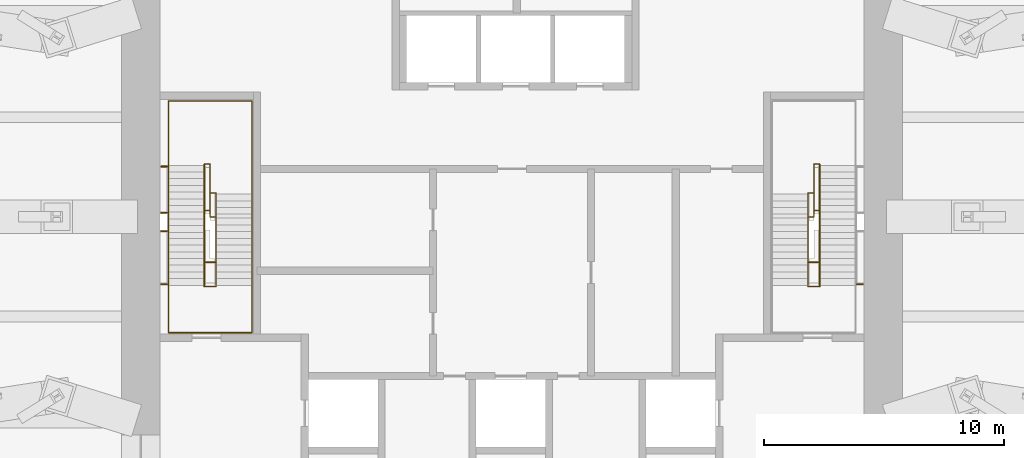
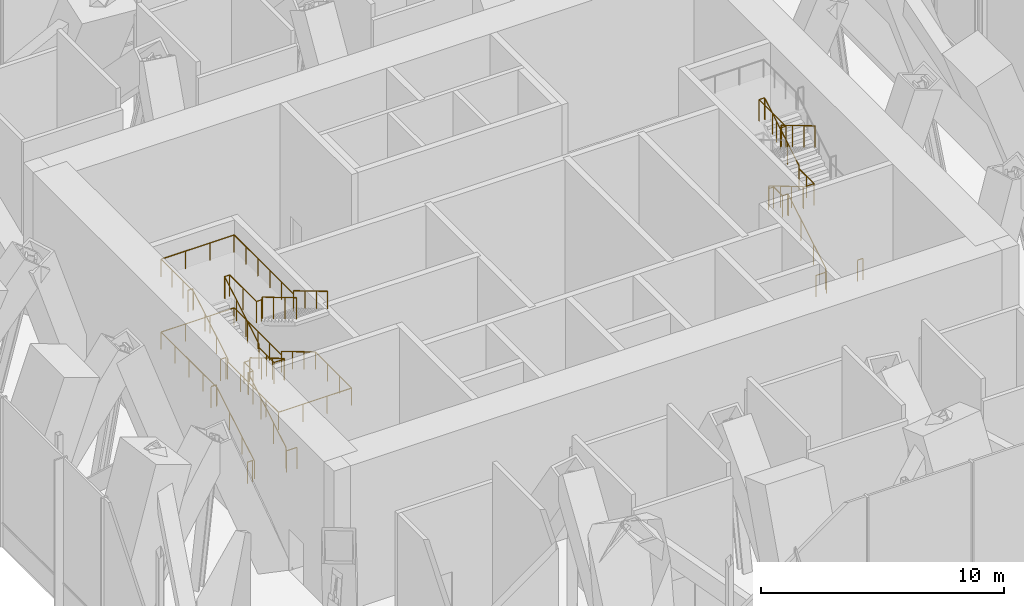
# One storey, part 15 of 16: 8 railings.
"""IFC4 building model written with IfcOpenShell, lengths in metres."""

from ifc_helpers import new_model, si_unit, direction, frame, origin, origin_2d, place, context, subcontext, project, spatial, circle, extrude, material, type_object, element, save


model = new_model("IFC4")

# Units and contexts
model_context = context("Model", 3, precision=1e-05, world=origin(), true_north=direction((0.0, 1.0)))
body_context = subcontext(model_context, "Body", "Model", "MODEL_VIEW")
ifc_project = project(units=[si_unit("LENGTHUNIT", "METRE"), si_unit("AREAUNIT", "SQUARE_METRE"), si_unit("VOLUMEUNIT", "CUBIC_METRE"), si_unit("PLANEANGLEUNIT", "RADIAN"), si_unit("MASSUNIT", "GRAM", prefix="KILO")], contexts=[model_context])

# Site, building, storey
site_placement = place(None, origin())
site = spatial("IfcSite", under=ifc_project, at=site_placement, CompositionType="ELEMENT")
building_placement = place(site_placement, origin())
building = spatial("IfcBuilding", under=site, at=building_placement, Name="Khuree Lantern Residences", CompositionType="ELEMENT")
storey_placement = place(building_placement, frame((0.0, 0.0, 278.25)))
storey = spatial("IfcBuildingStorey", under=building, at=storey_placement, Name="L70", CompositionType="ELEMENT", Elevation=278.25)

# Railings
ifc_material = material(Name="Steel S355", Category="steel")
railing_type_1 = type_object("IfcRailingType", Name="STAIR GUARD G1 1100", PredefinedType="GUARDRAIL", material=ifc_material)
railing_1_placement = place(storey_placement, frame((-12.35009765625, -2.909912109375, 0.0)))
element("IfcRailing", 1, at=railing_1_placement, inside=storey, type_object=railing_type_1, Name="Stair ST1 guard", PredefinedType="GUARDRAIL", context=body_context, shape_type="SweptSolid", body=[
    extrude(circle(Radius=0.02392578125, at=origin_2d()), frame((0.0, 0.0, 1.076171875), z_axis=(-1.0, 0.0, 0.0), x_axis=(0.0, -1.0, 0.0)), (0.0, 0.0, 1.0), 0.5),
    extrude(circle(Radius=0.02392578125, at=origin_2d()), frame((-0.5, 0.0, 1.076171875), z_axis=(0.0, 0.286189326841, 0.958173089375), x_axis=(-1.0, 0.0, 0.0)), (0.0, 0.0, 1.0), 0.174072265625),
    extrude(circle(Radius=0.02392578125, at=origin_2d()), frame((-0.5, 0.0498046875, 1.24267578125), z_axis=(0.0, 0.859308565015, 0.511457515432), x_axis=(-1.0, 0.0, 0.0)), (0.0, 0.0, 1.0), 3.58447265625),
    extrude(circle(Radius=0.02392578125, at=origin_2d()), frame((-0.5, 3.1298828125, 3.076171875), z_axis=(0.0, 1.0, 0.0), x_axis=(-1.0, 0.0, 0.0)), (0.0, 0.0, 1.0), 0.050048828125),
    extrude(circle(Radius=0.02392578125, at=origin_2d()), frame((-0.5, 3.179931640625, 3.076171875), z_axis=(1.0, 0.0, 0.0), x_axis=(0.0, 1.0, 0.0)), (0.0, 0.0, 1.0), 0.25),
    extrude(circle(Radius=0.02392578125, at=origin_2d()), frame((-0.25, 3.179931640625, 3.076171875), z_axis=(0.0, 1.0, 0.0), x_axis=(-1.0, 0.0, 0.0)), (0.0, 0.0, 1.0), 0.72998046875),
    extrude(circle(Radius=0.02392578125, at=origin_2d()), frame((-0.25, 3.909912109375, 3.076171875), z_axis=(1.0, 0.0, 0.0), x_axis=(0.0, 1.0, 0.0)), (0.0, 0.0, 1.0), 0.25),
    extrude(circle(Radius=0.02392578125, at=origin_2d()), frame((0.0, 3.909912109375, 3.076171875), z_axis=(0.0, -0.287476536604, 0.957787680492), x_axis=(1.0, 0.0, 0.0)), (0.0, 0.0, 1.0), 0.174072265625),
    extrude(circle(Radius=0.02392578125, at=origin_2d()), frame((0.0, 3.85986328125, 3.24267578125), z_axis=(0.0, -0.859318757487, 0.511440390497), x_axis=(1.0, 0.0, 0.0)), (0.0, 0.0, 1.0), 3.258544921875),
    extrude(circle(Radius=0.02392578125, at=origin_2d()), frame((0.0, 1.059814453125, 4.9091796875), z_axis=(0.0, -1.0, 0.0), x_axis=(1.0, 0.0, 0.0)), (0.0, 0.0, 1.0), 0.0498046875),
    extrude(circle(Radius=0.02392578125, at=origin_2d()), frame((0.0, 1.010009765625, 4.9091796875), z_axis=(-1.0, 0.0, 0.0), x_axis=(0.0, -1.0, 0.0)), (0.0, 0.0, 1.0), 0.5),
    extrude(circle(Radius=0.02392578125, at=origin_2d()), frame((-0.5, 1.010009765625, 4.9091796875), z_axis=(0.0, 1.0, 0.0), x_axis=(-1.0, 0.0, 0.0)), (0.0, 0.0, 1.0), 1.25),
    extrude(circle(Radius=0.02392578125, at=origin_2d()), frame((-0.5, 2.260009765625, 4.9091796875), z_axis=(0.0, 0.0, 1.0), x_axis=(1.0, 0.0, 0.0)), (0.0, 0.0, 1.0), 0.166748046875),
    extrude(circle(Radius=0.02392578125, at=origin_2d()), frame((-0.5, 2.260009765625, 5.076171875), z_axis=(0.0, 0.859266224305, 0.511528646088), x_axis=(-1.0, 0.0, 0.0)), (0.0, 0.0, 1.0), 3.25830078125),
    extrude(circle(Radius=0.02392578125, at=origin_2d()), frame((-0.5, 5.059814453125, 6.74267578125), z_axis=(0.0, 1.0, 0.0), x_axis=(-1.0, 0.0, 0.0)), (0.0, 0.0, 1.0), 0.050048828125),
    extrude(circle(Radius=0.02392578125, at=origin_2d()), frame((-0.5, 5.10986328125, 6.74267578125), z_axis=(1.0, 0.0, 0.0), x_axis=(0.0, 1.0, 0.0)), (0.0, 0.0, 1.0), 0.25),
    extrude(circle(Radius=0.02392578125, at=origin_2d()), frame((-0.25, 5.10986328125, 6.74267578125), z_axis=(0.0, -1.0, 0.0), x_axis=(1.0, 0.0, 0.0)), (0.0, 0.0, 1.0), 2.2099609375),
    extrude(circle(Radius=0.02392578125, at=origin_2d()), frame((-0.25, 2.89990234375, 6.74267578125), z_axis=(1.0, 0.0, 0.0), x_axis=(0.0, 1.0, 0.0)), (0.0, 0.0, 1.0), 0.25),
    extrude(circle(Radius=0.02392578125, at=origin_2d()), frame((0.0, 2.89990234375, 6.74267578125), z_axis=(0.0, -0.287863150583, 0.957671554624), x_axis=(1.0, 0.0, 0.0)), (0.0, 0.0, 1.0), 0.173828125),
    extrude(circle(Radius=0.02392578125, at=origin_2d()), frame((0.0, 2.849853515625, 6.9091796875), z_axis=(0.0, -0.859285828005, 0.511495714342), x_axis=(1.0, 0.0, 0.0)), (0.0, 0.0, 1.0), 3.258544921875),
    extrude(circle(Radius=0.02099609375, at=origin_2d()), origin(), (0.0, 0.0, 1.0), 1.052001953125),
    extrude(circle(Radius=0.02099609375, at=origin_2d()), frame((-0.5, 0.0, 0.0)), (0.0, 0.0, 1.0), 1.052001953125),
    extrude(circle(Radius=0.02099609375, at=origin_2d()), frame((-0.5, 0.0498046875, 0.166748046875)), (0.0, 0.0, 1.0), 1.052001953125),
    extrude(circle(Radius=0.02099609375, at=origin_2d()), frame((-0.5, 1.076416015625, 0.77783203125)), (0.0, 0.0, 1.0), 1.052001953125),
    extrude(circle(Radius=0.02099609375, at=origin_2d()), frame((-0.5, 2.103271484375, 1.388916015625)), (0.0, 0.0, 1.0), 1.052001953125),
    extrude(circle(Radius=0.02099609375, at=origin_2d()), frame((-0.5, 3.1298828125, 2.0)), (0.0, 0.0, 1.0), 1.052001953125),
    extrude(circle(Radius=0.02099609375, at=origin_2d()), frame((-0.5, 3.179931640625, 2.0)), (0.0, 0.0, 1.0), 1.052001953125),
    extrude(circle(Radius=0.02099609375, at=origin_2d()), frame((-0.25, 3.179931640625, 2.0)), (0.0, 0.0, 1.0), 1.052001953125),
    extrude(circle(Radius=0.02099609375, at=origin_2d()), frame((-0.25, 3.909912109375, 2.0)), (0.0, 0.0, 1.0), 1.052001953125),
    extrude(circle(Radius=0.02099609375, at=origin_2d()), frame((0.0, 3.909912109375, 2.0)), (0.0, 0.0, 1.0), 1.052001953125),
    extrude(circle(Radius=0.02099609375, at=origin_2d()), frame((0.0, 3.85986328125, 2.166748046875)), (0.0, 0.0, 1.0), 1.052001953125),
    extrude(circle(Radius=0.02099609375, at=origin_2d()), frame((0.0, 2.926513671875, 2.72216796875)), (0.0, 0.0, 1.0), 1.052001953125),
    extrude(circle(Radius=0.02099609375, at=origin_2d()), frame((0.0, 1.9931640625, 3.27783203125)), (0.0, 0.0, 1.0), 1.052001953125),
    extrude(circle(Radius=0.02099609375, at=origin_2d()), frame((0.0, 1.059814453125, 3.833251953125)), (0.0, 0.0, 1.0), 1.052001953125),
    extrude(circle(Radius=0.02099609375, at=origin_2d()), frame((0.0, 1.010009765625, 3.833251953125)), (0.0, 0.0, 1.0), 1.052001953125),
    extrude(circle(Radius=0.02099609375, at=origin_2d()), frame((-0.5, 1.010009765625, 3.833251953125)), (0.0, 0.0, 1.0), 1.052001953125),
    extrude(circle(Radius=0.02099609375, at=origin_2d()), frame((-0.5, 1.635009765625, 3.833251953125)), (0.0, 0.0, 1.0), 1.052001953125),
    extrude(circle(Radius=0.02099609375, at=origin_2d()), frame((-0.5, 2.260009765625, 3.833251953125)), (0.0, 0.0, 1.0), 1.052001953125),
    extrude(circle(Radius=0.02099609375, at=origin_2d()), frame((-0.5, 2.260009765625, 4.0)), (0.0, 0.0, 1.0), 1.052001953125),
    extrude(circle(Radius=0.02099609375, at=origin_2d()), frame((-0.5, 3.193359375, 4.5556640625)), (0.0, 0.0, 1.0), 1.052001953125),
    extrude(circle(Radius=0.02099609375, at=origin_2d()), frame((-0.5, 4.12646484375, 5.111083984375)), (0.0, 0.0, 1.0), 1.052001953125),
    extrude(circle(Radius=0.02099609375, at=origin_2d()), frame((-0.5, 5.059814453125, 5.666748046875)), (0.0, 0.0, 1.0), 1.052001953125),
    extrude(circle(Radius=0.02099609375, at=origin_2d()), frame((-0.5, 5.10986328125, 5.666748046875)), (0.0, 0.0, 1.0), 1.052001953125),
    extrude(circle(Radius=0.02099609375, at=origin_2d()), frame((-0.25, 5.10986328125, 5.666748046875)), (0.0, 0.0, 1.0), 1.052001953125),
    extrude(circle(Radius=0.02099609375, at=origin_2d()), frame((-0.25, 4.0048828125, 5.666748046875)), (0.0, 0.0, 1.0), 1.052001953125),
    extrude(circle(Radius=0.02099609375, at=origin_2d()), frame((-0.25, 2.89990234375, 5.666748046875)), (0.0, 0.0, 1.0), 1.052001953125),
    extrude(circle(Radius=0.02099609375, at=origin_2d()), frame((0.0, 2.89990234375, 5.666748046875)), (0.0, 0.0, 1.0), 1.052001953125),
    extrude(circle(Radius=0.02099609375, at=origin_2d()), frame((0.0, 2.849853515625, 5.833251953125)), (0.0, 0.0, 1.0), 1.052001953125),
    extrude(circle(Radius=0.02099609375, at=origin_2d()), frame((0.0, 1.91650390625, 6.388916015625)), (0.0, 0.0, 1.0), 1.052001953125),
    extrude(circle(Radius=0.02099609375, at=origin_2d()), frame((0.0, 0.983154296875, 6.9443359375)), (0.0, 0.0, 1.0), 1.052001953125),
    extrude(circle(Radius=0.02099609375, at=origin_2d()), frame((0.0, 0.0498046875, 7.5)), (0.0, 0.0, 1.0), 1.052001953125),
])
for number, where, name in (
    (2, (-14.64990234375, -2.81005859375, 0.0), "Stair ST1 landing slot guard"),
    (3, (-14.64990234375, 0.169921875, 2.0), "Stair ST1 landing slot guard"),
    (4, (-14.64990234375, -0.60009765625, 3.833251953125), "Stair ST1 landing slot guard"),
    (5, (-14.64990234375, 2.10009765625, 5.666748046875), "Stair ST1 landing slot guard"),
):
    element("IfcRailing", number, at=place(storey_placement, frame(where)), inside=storey, type_object=railing_type_1, Name=name, PredefinedType="GUARDRAIL", context=body_context, shape_type="SweptSolid", body=[
        extrude(circle(Radius=0.02392578125, at=origin_2d()), frame((0.0, 0.0, 1.076171875), z_axis=(1.0, 0.0, 0.0), x_axis=(0.0, 1.0, 0.0)), (0.0, 0.0, 1.0), 0.25),
        extrude(circle(Radius=0.02099609375, at=origin_2d()), origin(), (0.0, 0.0, 1.0), 1.052001953125),
        extrude(circle(Radius=0.02099609375, at=origin_2d()), frame((0.25, 0.0, 0.0)), (0.0, 0.0, 1.0), 1.052001953125),
    ])
railing_2_placement = place(storey_placement, frame((12.35009765625, -2.909912109375, 0.0)))
element("IfcRailing", 6, at=railing_2_placement, inside=storey, type_object=railing_type_1, Name="Stair ST2 guard", PredefinedType="GUARDRAIL", context=body_context, shape_type="SweptSolid", body=[
    extrude(circle(Radius=0.02392578125, at=origin_2d()), frame((0.0, 0.0, 1.076171875), z_axis=(1.0, 0.0, 0.0), x_axis=(0.0, 1.0, 0.0)), (0.0, 0.0, 1.0), 0.5),
    extrude(circle(Radius=0.02392578125, at=origin_2d()), frame((0.5, 0.0, 1.076171875), z_axis=(0.0, 0.286189326841, 0.958173089375), x_axis=(-1.0, 0.0, 0.0)), (0.0, 0.0, 1.0), 0.174072265625),
    extrude(circle(Radius=0.02392578125, at=origin_2d()), frame((0.5, 0.0498046875, 1.24267578125), z_axis=(0.0, 0.859308565015, 0.511457515432), x_axis=(-1.0, 0.0, 0.0)), (0.0, 0.0, 1.0), 3.58447265625),
    extrude(circle(Radius=0.02392578125, at=origin_2d()), frame((0.5, 3.1298828125, 3.076171875), z_axis=(0.0, 1.0, 0.0), x_axis=(-1.0, 0.0, 0.0)), (0.0, 0.0, 1.0), 0.050048828125),
    extrude(circle(Radius=0.02392578125, at=origin_2d()), frame((0.5, 3.179931640625, 3.076171875), z_axis=(-1.0, 0.0, 0.0), x_axis=(0.0, -1.0, 0.0)), (0.0, 0.0, 1.0), 0.25),
    extrude(circle(Radius=0.02392578125, at=origin_2d()), frame((0.25, 3.179931640625, 3.076171875), z_axis=(0.0, 1.0, 0.0), x_axis=(-1.0, 0.0, 0.0)), (0.0, 0.0, 1.0), 0.72998046875),
    extrude(circle(Radius=0.02392578125, at=origin_2d()), frame((0.25, 3.909912109375, 3.076171875), z_axis=(-1.0, 0.0, 0.0), x_axis=(0.0, -1.0, 0.0)), (0.0, 0.0, 1.0), 0.25),
    extrude(circle(Radius=0.02392578125, at=origin_2d()), frame((0.0, 3.909912109375, 3.076171875), z_axis=(0.0, -0.287476536604, 0.957787680492), x_axis=(1.0, 0.0, 0.0)), (0.0, 0.0, 1.0), 0.174072265625),
    extrude(circle(Radius=0.02392578125, at=origin_2d()), frame((0.0, 3.85986328125, 3.24267578125), z_axis=(0.0, -0.859318757487, 0.511440390497), x_axis=(1.0, 0.0, 0.0)), (0.0, 0.0, 1.0), 3.258544921875),
    extrude(circle(Radius=0.02392578125, at=origin_2d()), frame((0.0, 1.059814453125, 4.9091796875), z_axis=(0.0, -1.0, 0.0), x_axis=(1.0, 0.0, 0.0)), (0.0, 0.0, 1.0), 0.0498046875),
    extrude(circle(Radius=0.02392578125, at=origin_2d()), frame((0.0, 1.010009765625, 4.9091796875), z_axis=(1.0, 0.0, 0.0), x_axis=(0.0, 1.0, 0.0)), (0.0, 0.0, 1.0), 0.5),
    extrude(circle(Radius=0.02392578125, at=origin_2d()), frame((0.5, 1.010009765625, 4.9091796875), z_axis=(0.0, 1.0, 0.0), x_axis=(-1.0, 0.0, 0.0)), (0.0, 0.0, 1.0), 1.25),
    extrude(circle(Radius=0.02392578125, at=origin_2d()), frame((0.5, 2.260009765625, 4.9091796875), z_axis=(0.0, 0.0, 1.0), x_axis=(1.0, 0.0, 0.0)), (0.0, 0.0, 1.0), 0.166748046875),
    extrude(circle(Radius=0.02392578125, at=origin_2d()), frame((0.5, 2.260009765625, 5.076171875), z_axis=(0.0, 0.859266224305, 0.511528646088), x_axis=(-1.0, 0.0, 0.0)), (0.0, 0.0, 1.0), 3.25830078125),
    extrude(circle(Radius=0.02392578125, at=origin_2d()), frame((0.5, 5.059814453125, 6.74267578125), z_axis=(0.0, 1.0, 0.0), x_axis=(-1.0, 0.0, 0.0)), (0.0, 0.0, 1.0), 0.050048828125),
    extrude(circle(Radius=0.02392578125, at=origin_2d()), frame((0.5, 5.10986328125, 6.74267578125), z_axis=(-1.0, 0.0, 0.0), x_axis=(0.0, -1.0, 0.0)), (0.0, 0.0, 1.0), 0.25),
    extrude(circle(Radius=0.02392578125, at=origin_2d()), frame((0.25, 5.10986328125, 6.74267578125), z_axis=(0.0, -1.0, 0.0), x_axis=(1.0, 0.0, 0.0)), (0.0, 0.0, 1.0), 2.2099609375),
    extrude(circle(Radius=0.02392578125, at=origin_2d()), frame((0.25, 2.89990234375, 6.74267578125), z_axis=(-1.0, 0.0, 0.0), x_axis=(0.0, -1.0, 0.0)), (0.0, 0.0, 1.0), 0.25),
    extrude(circle(Radius=0.02392578125, at=origin_2d()), frame((0.0, 2.89990234375, 6.74267578125), z_axis=(0.0, -0.287863150583, 0.957671554624), x_axis=(1.0, 0.0, 0.0)), (0.0, 0.0, 1.0), 0.173828125),
    extrude(circle(Radius=0.02392578125, at=origin_2d()), frame((0.0, 2.849853515625, 6.9091796875), z_axis=(0.0, -0.859285828005, 0.511495714342), x_axis=(1.0, 0.0, 0.0)), (0.0, 0.0, 1.0), 3.258544921875),
    extrude(circle(Radius=0.02099609375, at=origin_2d()), origin(), (0.0, 0.0, 1.0), 1.052001953125),
    extrude(circle(Radius=0.02099609375, at=origin_2d()), frame((0.5, 0.0, 0.0)), (0.0, 0.0, 1.0), 1.052001953125),
    extrude(circle(Radius=0.02099609375, at=origin_2d()), frame((0.5, 0.0498046875, 0.166748046875)), (0.0, 0.0, 1.0), 1.052001953125),
    extrude(circle(Radius=0.02099609375, at=origin_2d()), frame((0.5, 1.076416015625, 0.77783203125)), (0.0, 0.0, 1.0), 1.052001953125),
    extrude(circle(Radius=0.02099609375, at=origin_2d()), frame((0.5, 2.103271484375, 1.388916015625)), (0.0, 0.0, 1.0), 1.052001953125),
    extrude(circle(Radius=0.02099609375, at=origin_2d()), frame((0.5, 3.1298828125, 2.0)), (0.0, 0.0, 1.0), 1.052001953125),
    extrude(circle(Radius=0.02099609375, at=origin_2d()), frame((0.5, 3.179931640625, 2.0)), (0.0, 0.0, 1.0), 1.052001953125),
    extrude(circle(Radius=0.02099609375, at=origin_2d()), frame((0.25, 3.179931640625, 2.0)), (0.0, 0.0, 1.0), 1.052001953125),
    extrude(circle(Radius=0.02099609375, at=origin_2d()), frame((0.25, 3.909912109375, 2.0)), (0.0, 0.0, 1.0), 1.052001953125),
    extrude(circle(Radius=0.02099609375, at=origin_2d()), frame((0.0, 3.909912109375, 2.0)), (0.0, 0.0, 1.0), 1.052001953125),
    extrude(circle(Radius=0.02099609375, at=origin_2d()), frame((0.0, 3.85986328125, 2.166748046875)), (0.0, 0.0, 1.0), 1.052001953125),
    extrude(circle(Radius=0.02099609375, at=origin_2d()), frame((0.0, 2.926513671875, 2.72216796875)), (0.0, 0.0, 1.0), 1.052001953125),
    extrude(circle(Radius=0.02099609375, at=origin_2d()), frame((0.0, 1.9931640625, 3.27783203125)), (0.0, 0.0, 1.0), 1.052001953125),
    extrude(circle(Radius=0.02099609375, at=origin_2d()), frame((0.0, 1.059814453125, 3.833251953125)), (0.0, 0.0, 1.0), 1.052001953125),
    extrude(circle(Radius=0.02099609375, at=origin_2d()), frame((0.0, 1.010009765625, 3.833251953125)), (0.0, 0.0, 1.0), 1.052001953125),
    extrude(circle(Radius=0.02099609375, at=origin_2d()), frame((0.5, 1.010009765625, 3.833251953125)), (0.0, 0.0, 1.0), 1.052001953125),
    extrude(circle(Radius=0.02099609375, at=origin_2d()), frame((0.5, 1.635009765625, 3.833251953125)), (0.0, 0.0, 1.0), 1.052001953125),
    extrude(circle(Radius=0.02099609375, at=origin_2d()), frame((0.5, 2.260009765625, 3.833251953125)), (0.0, 0.0, 1.0), 1.052001953125),
    extrude(circle(Radius=0.02099609375, at=origin_2d()), frame((0.5, 2.260009765625, 4.0)), (0.0, 0.0, 1.0), 1.052001953125),
    extrude(circle(Radius=0.02099609375, at=origin_2d()), frame((0.5, 3.193359375, 4.5556640625)), (0.0, 0.0, 1.0), 1.052001953125),
    extrude(circle(Radius=0.02099609375, at=origin_2d()), frame((0.5, 4.12646484375, 5.111083984375)), (0.0, 0.0, 1.0), 1.052001953125),
    extrude(circle(Radius=0.02099609375, at=origin_2d()), frame((0.5, 5.059814453125, 5.666748046875)), (0.0, 0.0, 1.0), 1.052001953125),
    extrude(circle(Radius=0.02099609375, at=origin_2d()), frame((0.5, 5.10986328125, 5.666748046875)), (0.0, 0.0, 1.0), 1.052001953125),
    extrude(circle(Radius=0.02099609375, at=origin_2d()), frame((0.25, 5.10986328125, 5.666748046875)), (0.0, 0.0, 1.0), 1.052001953125),
    extrude(circle(Radius=0.02099609375, at=origin_2d()), frame((0.25, 4.0048828125, 5.666748046875)), (0.0, 0.0, 1.0), 1.052001953125),
    extrude(circle(Radius=0.02099609375, at=origin_2d()), frame((0.25, 2.89990234375, 5.666748046875)), (0.0, 0.0, 1.0), 1.052001953125),
    extrude(circle(Radius=0.02099609375, at=origin_2d()), frame((0.0, 2.89990234375, 5.666748046875)), (0.0, 0.0, 1.0), 1.052001953125),
    extrude(circle(Radius=0.02099609375, at=origin_2d()), frame((0.0, 2.849853515625, 5.833251953125)), (0.0, 0.0, 1.0), 1.052001953125),
    extrude(circle(Radius=0.02099609375, at=origin_2d()), frame((0.0, 1.91650390625, 6.388916015625)), (0.0, 0.0, 1.0), 1.052001953125),
    extrude(circle(Radius=0.02099609375, at=origin_2d()), frame((0.0, 0.983154296875, 6.9443359375)), (0.0, 0.0, 1.0), 1.052001953125),
    extrude(circle(Radius=0.02099609375, at=origin_2d()), frame((0.0, 0.0498046875, 7.5)), (0.0, 0.0, 1.0), 1.052001953125),
])
railing_3_placement = place(storey_placement, frame((14.64990234375, -2.81005859375, 0.0)))
element("IfcRailing", 7, at=railing_3_placement, inside=storey, type_object=railing_type_1, Name="Stair ST2 landing slot guard", PredefinedType="GUARDRAIL", context=body_context, shape_type="SweptSolid", body=[
    extrude(circle(Radius=0.02392578125, at=origin_2d()), frame((0.0, 0.0, 1.076171875), z_axis=(-1.0, 0.0, 0.0), x_axis=(0.0, -1.0, 0.0)), (0.0, 0.0, 1.0), 0.25),
    extrude(circle(Radius=0.02099609375, at=origin_2d()), origin(), (0.0, 0.0, 1.0), 1.052001953125),
    extrude(circle(Radius=0.02099609375, at=origin_2d()), frame((-0.25, 0.0, 0.0)), (0.0, 0.0, 1.0), 1.052001953125),
])
railing_type_2 = type_object("IfcRailingType", Name="STAIR HANDRAIL H1 900", PredefinedType="HANDRAIL", material=ifc_material)
railing_4_placement = place(storey_placement, frame((-14.340087890625, -2.860107421875, 0.166748046875)))
element("IfcRailing", 8, at=railing_4_placement, inside=storey, type_object=railing_type_2, Name="Stair ST1 handrail", PredefinedType="HANDRAIL", context=body_context, shape_type="SweptSolid", body=[
    extrude(circle(Radius=0.02392578125, at=origin_2d()), frame((0.0, 0.0, 0.8759765625), z_axis=(0.0, 0.859308565015, 0.511457515432), x_axis=(-1.0, 0.0, 0.0)), (0.0, 0.0, 1.0), 3.58447265625),
    extrude(circle(Radius=0.02392578125, at=origin_2d()), frame((0.0, 3.080078125, 2.708984375), z_axis=(0.0, 1.0, 0.0), x_axis=(-1.0, 0.0, 0.0)), (0.0, 0.0, 1.0), 4.6201171875),
    extrude(circle(Radius=0.02392578125, at=origin_2d()), frame((0.0, 7.7001953125, 2.708984375), z_axis=(1.0, 0.0, 0.0), x_axis=(0.0, 1.0, 0.0)), (0.0, 0.0, 1.0), 3.47998046875),
    extrude(circle(Radius=0.02392578125, at=origin_2d()), frame((3.47998046875, 7.7001953125, 2.708984375), z_axis=(0.0, -1.0, 0.0), x_axis=(1.0, 0.0, 0.0)), (0.0, 0.0, 1.0), 3.89013671875),
    extrude(circle(Radius=0.02392578125, at=origin_2d()), frame((3.47998046875, 3.81005859375, 2.708984375), z_axis=(0.0, 0.0, 1.0), x_axis=(1.0, 0.0, 0.0)), (0.0, 0.0, 1.0), 0.166748046875),
    extrude(circle(Radius=0.02392578125, at=origin_2d()), frame((3.47998046875, 3.81005859375, 2.8759765625), z_axis=(0.0, -0.859318757487, 0.511440390497), x_axis=(1.0, 0.0, 0.0)), (0.0, 0.0, 1.0), 3.258544921875),
    extrude(circle(Radius=0.02392578125, at=origin_2d()), frame((3.47998046875, 1.010009765625, 4.54248046875), z_axis=(0.0, -1.0, 0.0), x_axis=(1.0, 0.0, 0.0)), (0.0, 0.0, 1.0), 2.989990234375),
    extrude(circle(Radius=0.02392578125, at=origin_2d()), frame((3.47998046875, -1.97998046875, 4.54248046875), z_axis=(-1.0, 0.0, 0.0), x_axis=(0.0, -1.0, 0.0)), (0.0, 0.0, 1.0), 3.47998046875),
    extrude(circle(Radius=0.02392578125, at=origin_2d()), frame((0.0, -1.97998046875, 4.54248046875), z_axis=(0.0, 1.0, 0.0), x_axis=(-1.0, 0.0, 0.0)), (0.0, 0.0, 1.0), 4.190185546875),
    extrude(circle(Radius=0.02392578125, at=origin_2d()), frame((0.0, 2.210205078125, 4.54248046875), z_axis=(0.0, 0.0, 1.0), x_axis=(1.0, 0.0, 0.0)), (0.0, 0.0, 1.0), 0.166748046875),
    extrude(circle(Radius=0.02392578125, at=origin_2d()), frame((0.0, 2.210205078125, 4.708984375), z_axis=(0.0, 0.859266224305, 0.511528646088), x_axis=(-1.0, 0.0, 0.0)), (0.0, 0.0, 1.0), 3.25830078125),
    extrude(circle(Radius=0.02392578125, at=origin_2d()), frame((0.0, 5.010009765625, 6.3759765625), z_axis=(0.0, 1.0, 0.0), x_axis=(-1.0, 0.0, 0.0)), (0.0, 0.0, 1.0), 2.690185546875),
    extrude(circle(Radius=0.02392578125, at=origin_2d()), frame((0.0, 7.7001953125, 6.3759765625), z_axis=(1.0, 0.0, 0.0), x_axis=(0.0, 1.0, 0.0)), (0.0, 0.0, 1.0), 3.47998046875),
    extrude(circle(Radius=0.02392578125, at=origin_2d()), frame((3.47998046875, 7.7001953125, 6.3759765625), z_axis=(0.0, -1.0, 0.0), x_axis=(1.0, 0.0, 0.0)), (0.0, 0.0, 1.0), 4.900146484375),
    extrude(circle(Radius=0.02392578125, at=origin_2d()), frame((3.47998046875, 2.800048828125, 6.3759765625), z_axis=(0.0, 0.0, 1.0), x_axis=(1.0, 0.0, 0.0)), (0.0, 0.0, 1.0), 0.16650390625),
    extrude(circle(Radius=0.02392578125, at=origin_2d()), frame((3.47998046875, 2.800048828125, 6.54248046875), z_axis=(0.0, -0.859285828005, 0.511495714342), x_axis=(1.0, 0.0, 0.0)), (0.0, 0.0, 1.0), 3.258544921875),
    extrude(circle(Radius=0.02099609375, at=origin_2d()), origin(), (0.0, 0.0, 1.0), 0.851806640625),
    extrude(circle(Radius=0.02099609375, at=origin_2d()), frame((0.0, 1.026611328125, 0.611083984375)), (0.0, 0.0, 1.0), 0.851806640625),
    extrude(circle(Radius=0.02099609375, at=origin_2d()), frame((0.0, 2.053466796875, 1.22216796875)), (0.0, 0.0, 1.0), 0.851806640625),
    extrude(circle(Radius=0.02099609375, at=origin_2d()), frame((0.0, 3.080078125, 1.833251953125)), (0.0, 0.0, 1.0), 0.851806640625),
    extrude(circle(Radius=0.02099609375, at=origin_2d()), frame((0.0, 4.235107421875, 1.833251953125)), (0.0, 0.0, 1.0), 0.851806640625),
    extrude(circle(Radius=0.02099609375, at=origin_2d()), frame((0.0, 5.39013671875, 1.833251953125)), (0.0, 0.0, 1.0), 0.851806640625),
    extrude(circle(Radius=0.02099609375, at=origin_2d()), frame((0.0, 6.545166015625, 1.833251953125)), (0.0, 0.0, 1.0), 0.851806640625),
    extrude(circle(Radius=0.02099609375, at=origin_2d()), frame((0.0, 7.7001953125, 1.833251953125)), (0.0, 0.0, 1.0), 0.851806640625),
    extrude(circle(Radius=0.02099609375, at=origin_2d()), frame((1.159912109375, 7.7001953125, 1.833251953125)), (0.0, 0.0, 1.0), 0.851806640625),
    extrude(circle(Radius=0.02099609375, at=origin_2d()), frame((2.320068359375, 7.7001953125, 1.833251953125)), (0.0, 0.0, 1.0), 0.851806640625),
    extrude(circle(Radius=0.02099609375, at=origin_2d()), frame((3.47998046875, 7.7001953125, 1.833251953125)), (0.0, 0.0, 1.0), 0.851806640625),
    extrude(circle(Radius=0.02099609375, at=origin_2d()), frame((3.47998046875, 6.7275390625, 1.833251953125)), (0.0, 0.0, 1.0), 0.851806640625),
    extrude(circle(Radius=0.02099609375, at=origin_2d()), frame((3.47998046875, 5.755126953125, 1.833251953125)), (0.0, 0.0, 1.0), 0.851806640625),
    extrude(circle(Radius=0.02099609375, at=origin_2d()), frame((3.47998046875, 4.78271484375, 1.833251953125)), (0.0, 0.0, 1.0), 0.851806640625),
    extrude(circle(Radius=0.02099609375, at=origin_2d()), frame((3.47998046875, 3.81005859375, 1.833251953125)), (0.0, 0.0, 1.0), 0.851806640625),
    extrude(circle(Radius=0.02099609375, at=origin_2d()), frame((3.47998046875, 3.81005859375, 2.0)), (0.0, 0.0, 1.0), 0.851806640625),
    extrude(circle(Radius=0.02099609375, at=origin_2d()), frame((3.47998046875, 2.876708984375, 2.555419921875)), (0.0, 0.0, 1.0), 0.851806640625),
    extrude(circle(Radius=0.02099609375, at=origin_2d()), frame((3.47998046875, 1.943359375, 3.111083984375)), (0.0, 0.0, 1.0), 0.851806640625),
    extrude(circle(Radius=0.02099609375, at=origin_2d()), frame((3.47998046875, 1.010009765625, 3.66650390625)), (0.0, 0.0, 1.0), 0.851806640625),
    extrude(circle(Radius=0.02099609375, at=origin_2d()), frame((3.47998046875, 0.013427734375, 3.66650390625)), (0.0, 0.0, 1.0), 0.851806640625),
    extrude(circle(Radius=0.02099609375, at=origin_2d()), frame((3.47998046875, -0.9833984375, 3.66650390625)), (0.0, 0.0, 1.0), 0.851806640625),
    extrude(circle(Radius=0.02099609375, at=origin_2d()), frame((3.47998046875, -1.97998046875, 3.66650390625)), (0.0, 0.0, 1.0), 0.851806640625),
    extrude(circle(Radius=0.02099609375, at=origin_2d()), frame((2.320068359375, -1.97998046875, 3.66650390625)), (0.0, 0.0, 1.0), 0.851806640625),
    extrude(circle(Radius=0.02099609375, at=origin_2d()), frame((1.159912109375, -1.97998046875, 3.66650390625)), (0.0, 0.0, 1.0), 0.851806640625),
    extrude(circle(Radius=0.02099609375, at=origin_2d()), frame((0.0, -1.97998046875, 3.66650390625)), (0.0, 0.0, 1.0), 0.851806640625),
    extrude(circle(Radius=0.02099609375, at=origin_2d()), frame((0.0, -0.932373046875, 3.66650390625)), (0.0, 0.0, 1.0), 0.851806640625),
    extrude(circle(Radius=0.02099609375, at=origin_2d()), frame((0.0, 0.115234375, 3.66650390625)), (0.0, 0.0, 1.0), 0.851806640625),
    extrude(circle(Radius=0.02099609375, at=origin_2d()), frame((0.0, 1.16259765625, 3.66650390625)), (0.0, 0.0, 1.0), 0.851806640625),
    extrude(circle(Radius=0.02099609375, at=origin_2d()), frame((0.0, 2.210205078125, 3.66650390625)), (0.0, 0.0, 1.0), 0.851806640625),
    extrude(circle(Radius=0.02099609375, at=origin_2d()), frame((0.0, 2.210205078125, 3.833251953125)), (0.0, 0.0, 1.0), 0.851806640625),
    extrude(circle(Radius=0.02099609375, at=origin_2d()), frame((0.0, 3.1435546875, 4.388916015625)), (0.0, 0.0, 1.0), 0.851806640625),
    extrude(circle(Radius=0.02099609375, at=origin_2d()), frame((0.0, 4.07666015625, 4.9443359375)), (0.0, 0.0, 1.0), 0.851806640625),
    extrude(circle(Radius=0.02099609375, at=origin_2d()), frame((0.0, 5.010009765625, 5.5)), (0.0, 0.0, 1.0), 0.851806640625),
    extrude(circle(Radius=0.02099609375, at=origin_2d()), frame((0.0, 5.90673828125, 5.5)), (0.0, 0.0, 1.0), 0.851806640625),
    extrude(circle(Radius=0.02099609375, at=origin_2d()), frame((0.0, 6.803466796875, 5.5)), (0.0, 0.0, 1.0), 0.851806640625),
    extrude(circle(Radius=0.02099609375, at=origin_2d()), frame((0.0, 7.7001953125, 5.5)), (0.0, 0.0, 1.0), 0.851806640625),
    extrude(circle(Radius=0.02099609375, at=origin_2d()), frame((1.159912109375, 7.7001953125, 5.5)), (0.0, 0.0, 1.0), 0.851806640625),
    extrude(circle(Radius=0.02099609375, at=origin_2d()), frame((2.320068359375, 7.7001953125, 5.5)), (0.0, 0.0, 1.0), 0.851806640625),
    extrude(circle(Radius=0.02099609375, at=origin_2d()), frame((3.47998046875, 7.7001953125, 5.5)), (0.0, 0.0, 1.0), 0.851806640625),
    extrude(circle(Radius=0.02099609375, at=origin_2d()), frame((3.47998046875, 6.72021484375, 5.5)), (0.0, 0.0, 1.0), 0.851806640625),
    extrude(circle(Radius=0.02099609375, at=origin_2d()), frame((3.47998046875, 5.740234375, 5.5)), (0.0, 0.0, 1.0), 0.851806640625),
    extrude(circle(Radius=0.02099609375, at=origin_2d()), frame((3.47998046875, 4.760009765625, 5.5)), (0.0, 0.0, 1.0), 0.851806640625),
    extrude(circle(Radius=0.02099609375, at=origin_2d()), frame((3.47998046875, 3.780029296875, 5.5)), (0.0, 0.0, 1.0), 0.851806640625),
    extrude(circle(Radius=0.02099609375, at=origin_2d()), frame((3.47998046875, 2.800048828125, 5.5)), (0.0, 0.0, 1.0), 0.851806640625),
    extrude(circle(Radius=0.02099609375, at=origin_2d()), frame((3.47998046875, 2.800048828125, 5.66650390625)), (0.0, 0.0, 1.0), 0.851806640625),
    extrude(circle(Radius=0.02099609375, at=origin_2d()), frame((3.47998046875, 1.86669921875, 6.22216796875)), (0.0, 0.0, 1.0), 0.851806640625),
    extrude(circle(Radius=0.02099609375, at=origin_2d()), frame((3.47998046875, 0.933349609375, 6.777587890625)), (0.0, 0.0, 1.0), 0.851806640625),
    extrude(circle(Radius=0.02099609375, at=origin_2d()), frame((3.47998046875, 0.0, 7.333251953125)), (0.0, 0.0, 1.0), 0.851806640625),
])

save(model, "model.ifc")
